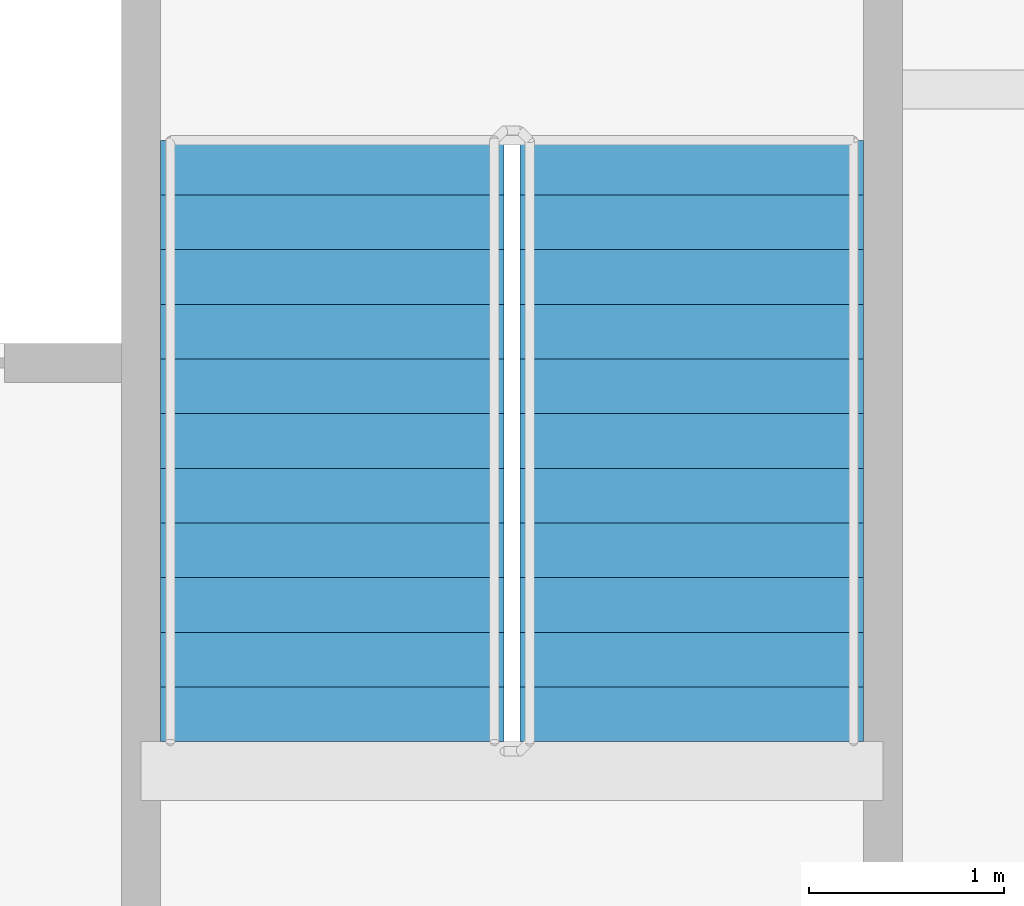
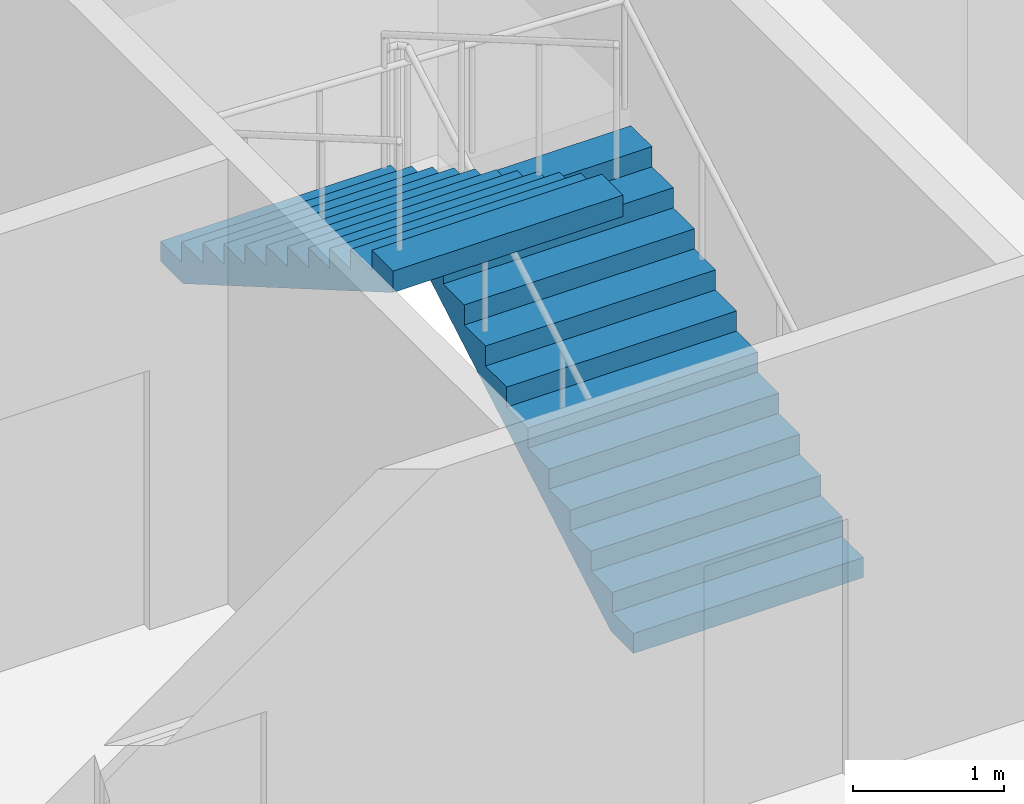
# One storey, part 9 of 11: 2 stair flights, 1 element without a shape of its own.
"""IFC4 building model written with IfcOpenShell, lengths in metres."""

from ifc_helpers import new_model, si_unit, direction, frame, origin, place, context, subcontext, project, spatial, faceted_brep, material, type_object, element, aggregate, save


model = new_model("IFC4")

# Units and contexts
model_context = context("Model", 3, precision=1e-05, world=origin(), true_north=direction((0.0, 1.0)))
body_context = subcontext(model_context, "Body", "Model", "MODEL_VIEW")
ifc_project = project(units=[si_unit("LENGTHUNIT", "METRE"), si_unit("AREAUNIT", "SQUARE_METRE"), si_unit("VOLUMEUNIT", "CUBIC_METRE"), si_unit("PLANEANGLEUNIT", "RADIAN"), si_unit("MASSUNIT", "GRAM", prefix="KILO")], contexts=[model_context])

# Site, building, storey
site_placement = place(None, origin())
site = spatial("IfcSite", under=ifc_project, at=site_placement, CompositionType="ELEMENT")
building_placement = place(site_placement, origin())
building = spatial("IfcBuilding", under=site, at=building_placement, Name="Tarsis Ring Headquarters", CompositionType="ELEMENT")
storey_placement = place(building_placement, frame((0.0, 0.0, 243.300048828125)))
storey = spatial("IfcBuildingStorey", under=building, at=storey_placement, Name="L57", CompositionType="ELEMENT", Elevation=243.300048828125)

# Stair, stair flights
ifc_material_1 = material(Name="Core stair 1760")
stair_type = type_object("IfcStairType", Name="Core stair 1760", PredefinedType="HALF_TURN_STAIR", material=ifc_material_1)
stair_placement = place(storey_placement, origin())
stair = element("IfcStair", 1, at=stair_placement, inside=storey, type_object=stair_type, Name="L57 Exit stair B", PredefinedType="HALF_TURN_STAIR")
ifc_material_2 = material(Name="Concrete C40/50", Category="concrete")
stair_flight_type = type_object("IfcStairFlightType", Name="Core stair flight 1760", PredefinedType="STRAIGHT", material=ifc_material_2)
stair_flight_1_placement = place(storey_placement, frame((5.419921875, 3.659912109375, 0.0), z_axis=(0.0, 0.0, 1.0), x_axis=(0.0, 1.0, 0.0)))
stair_flight_1 = element("IfcStairFlight", 2, at=stair_flight_1_placement, type_object=stair_flight_type, Name="Stair ST2 flight 1", NumberOfRisers=12, NumberOfTreads=11, PredefinedType="STRAIGHT", RiserHeight=0.1625, TreadLength=0.28, context=body_context, shape_type="Brep", body=[
    faceted_brep([(0.0, 0.8798828125, 0.0), (0.0, 0.8798828125, 0.16259765625), (0.280029296875, 0.8798828125, 0.16259765625), (0.280029296875, 0.8798828125, 0.324951171875), (0.56005859375, 0.8798828125, 0.324951171875), (0.56005859375, 0.8798828125, 0.487548828125), (0.840087890625, 0.8798828125, 0.487548828125), (0.840087890625, 0.8798828125, 0.64990234375), (1.1201171875, 0.8798828125, 0.64990234375), (1.1201171875, 0.8798828125, 0.8125), (1.39990234375, 0.8798828125, 0.8125), (1.39990234375, 0.8798828125, 0.97509765625), (1.679931640625, 0.8798828125, 0.97509765625), (1.679931640625, 0.8798828125, 1.137451171875), (1.9599609375, 0.8798828125, 1.137451171875), (1.9599609375, 0.8798828125, 1.300048828125), (2.239990234375, 0.8798828125, 1.300048828125), (2.239990234375, 0.8798828125, 1.46240234375), (2.52001953125, 0.8798828125, 1.46240234375), (2.52001953125, 0.8798828125, 1.625), (2.800048828125, 0.8798828125, 1.625), (2.800048828125, 0.8798828125, 1.78759765625), (3.080078125, 0.8798828125, 1.78759765625), (3.080078125, 0.8798828125, 1.6142578125), (0.298583984375, 0.8798828125, 0.0), (0.298583984375, -0.8798828125, 0.0), (3.080078125, -0.8798828125, 1.6142578125), (3.080078125, -0.8798828125, 1.78759765625), (2.800048828125, -0.8798828125, 1.78759765625), (2.800048828125, -0.8798828125, 1.625), (2.52001953125, -0.8798828125, 1.625), (2.52001953125, -0.8798828125, 1.46240234375), (2.239990234375, -0.8798828125, 1.46240234375), (2.239990234375, -0.8798828125, 1.300048828125), (1.9599609375, -0.8798828125, 1.300048828125), (1.9599609375, -0.8798828125, 1.137451171875), (1.679931640625, -0.8798828125, 1.137451171875), (1.679931640625, -0.8798828125, 0.97509765625), (1.39990234375, -0.8798828125, 0.97509765625), (1.39990234375, -0.8798828125, 0.8125), (1.1201171875, -0.8798828125, 0.8125), (1.1201171875, -0.8798828125, 0.64990234375), (0.840087890625, -0.8798828125, 0.64990234375), (0.840087890625, -0.8798828125, 0.487548828125), (0.56005859375, -0.8798828125, 0.487548828125), (0.56005859375, -0.8798828125, 0.324951171875), (0.280029296875, -0.8798828125, 0.324951171875), (0.280029296875, -0.8798828125, 0.16259765625), (0.0, -0.8798828125, 0.16259765625), (0.0, -0.8798828125, 0.0), (0.0, -0.43994140625, 0.16259765625), (0.0, -0.43994140625, 0.0), (0.0, 0.0, 0.16259765625), (0.0, 0.0, 0.0), (0.0, 0.43994140625, 0.16259765625), (0.0, 0.43994140625, 0.0), (0.280029296875, -0.43994140625, 0.16259765625), (0.280029296875, 0.0, 0.16259765625), (0.280029296875, 0.43994140625, 0.16259765625), (0.280029296875, -0.43994140625, 0.324951171875), (0.280029296875, 0.0, 0.324951171875), (0.280029296875, 0.43994140625, 0.324951171875), (0.56005859375, -0.43994140625, 0.324951171875), (0.56005859375, 0.0, 0.324951171875), (0.56005859375, 0.43994140625, 0.324951171875), (0.56005859375, -0.43994140625, 0.487548828125), (0.56005859375, 0.0, 0.487548828125), (0.56005859375, 0.43994140625, 0.487548828125), (0.840087890625, -0.43994140625, 0.487548828125), (0.840087890625, 0.0, 0.487548828125), (0.840087890625, 0.43994140625, 0.487548828125), (0.840087890625, -0.43994140625, 0.64990234375), (0.840087890625, 0.0, 0.64990234375), (0.840087890625, 0.43994140625, 0.64990234375), (1.1201171875, -0.43994140625, 0.64990234375), (1.1201171875, 0.0, 0.64990234375), (1.1201171875, 0.43994140625, 0.64990234375), (1.1201171875, -0.43994140625, 0.8125), (1.1201171875, 0.0, 0.8125), (1.1201171875, 0.43994140625, 0.8125), (1.39990234375, -0.43994140625, 0.8125), (1.39990234375, 0.0, 0.8125), (1.39990234375, 0.43994140625, 0.8125), (1.39990234375, -0.43994140625, 0.97509765625), (1.39990234375, 0.0, 0.97509765625), (1.39990234375, 0.43994140625, 0.97509765625), (1.679931640625, -0.43994140625, 0.97509765625), (1.679931640625, 0.0, 0.97509765625), (1.679931640625, 0.43994140625, 0.97509765625), (1.679931640625, -0.43994140625, 1.137451171875), (1.679931640625, 0.0, 1.137451171875), (1.679931640625, 0.43994140625, 1.137451171875), (1.9599609375, -0.43994140625, 1.137451171875), (1.9599609375, 0.0, 1.137451171875), (1.9599609375, 0.43994140625, 1.137451171875), (1.9599609375, -0.43994140625, 1.300048828125), (1.9599609375, 0.0, 1.300048828125), (1.9599609375, 0.43994140625, 1.300048828125), (2.239990234375, -0.43994140625, 1.300048828125), (2.239990234375, 0.0, 1.300048828125), (2.239990234375, 0.43994140625, 1.300048828125), (2.239990234375, -0.43994140625, 1.46240234375), (2.239990234375, 0.0, 1.46240234375), (2.239990234375, 0.43994140625, 1.46240234375), (2.52001953125, -0.43994140625, 1.46240234375), (2.52001953125, 0.0, 1.46240234375), (2.52001953125, 0.43994140625, 1.46240234375), (2.52001953125, -0.43994140625, 1.625), (2.52001953125, 0.0, 1.625), (2.52001953125, 0.43994140625, 1.625), (2.800048828125, -0.43994140625, 1.625), (2.800048828125, 0.0, 1.625), (2.800048828125, 0.43994140625, 1.625), (2.800048828125, -0.43994140625, 1.78759765625), (2.800048828125, 0.0, 1.78759765625), (2.800048828125, 0.43994140625, 1.78759765625), (3.080078125, -0.43994140625, 1.78759765625), (3.080078125, 0.0, 1.78759765625), (3.080078125, 0.43994140625, 1.78759765625), (3.080078125, -0.43994140625, 1.6142578125), (3.080078125, 0.0, 1.6142578125), (3.080078125, 0.43994140625, 1.6142578125), (0.298583984375, -0.43994140625, 0.0), (0.298583984375, 0.0, 0.0), (0.298583984375, 0.43994140625, 0.0)], [[[0, 1, 2, 3, 4, 5, 6, 7, 8, 9, 10, 11, 12, 13, 14, 15, 16, 17, 18, 19, 20, 21, 22, 23, 24]], [[25, 26, 27, 28, 29, 30, 31, 32, 33, 34, 35, 36, 37, 38, 39, 40, 41, 42, 43, 44, 45, 46, 47, 48, 49]], [[49, 48, 50, 51]], [[51, 50, 52, 53]], [[53, 52, 54, 55]], [[55, 54, 1, 0]], [[48, 47, 56, 50]], [[50, 56, 57, 52]], [[52, 57, 58, 54]], [[54, 58, 2, 1]], [[47, 46, 59, 56]], [[56, 59, 60, 57]], [[57, 60, 61, 58]], [[58, 61, 3, 2]], [[46, 45, 62, 59]], [[59, 62, 63, 60]], [[60, 63, 64, 61]], [[61, 64, 4, 3]], [[45, 44, 65, 62]], [[62, 65, 66, 63]], [[63, 66, 67, 64]], [[64, 67, 5, 4]], [[44, 43, 68, 65]], [[65, 68, 69, 66]], [[66, 69, 70, 67]], [[67, 70, 6, 5]], [[43, 42, 71, 68]], [[68, 71, 72, 69]], [[69, 72, 73, 70]], [[70, 73, 7, 6]], [[42, 41, 74, 71]], [[71, 74, 75, 72]], [[72, 75, 76, 73]], [[73, 76, 8, 7]], [[41, 40, 77, 74]], [[74, 77, 78, 75]], [[75, 78, 79, 76]], [[76, 79, 9, 8]], [[40, 39, 80, 77]], [[77, 80, 81, 78]], [[78, 81, 82, 79]], [[79, 82, 10, 9]], [[39, 38, 83, 80]], [[80, 83, 84, 81]], [[81, 84, 85, 82]], [[82, 85, 11, 10]], [[38, 37, 86, 83]], [[83, 86, 87, 84]], [[84, 87, 88, 85]], [[85, 88, 12, 11]], [[37, 36, 89, 86]], [[86, 89, 90, 87]], [[87, 90, 91, 88]], [[88, 91, 13, 12]], [[36, 35, 92, 89]], [[89, 92, 93, 90]], [[90, 93, 94, 91]], [[91, 94, 14, 13]], [[35, 34, 95, 92]], [[92, 95, 96, 93]], [[93, 96, 97, 94]], [[94, 97, 15, 14]], [[34, 33, 98, 95]], [[95, 98, 99, 96]], [[96, 99, 100, 97]], [[97, 100, 16, 15]], [[33, 32, 101, 98]], [[98, 101, 102, 99]], [[99, 102, 103, 100]], [[100, 103, 17, 16]], [[32, 31, 104, 101]], [[101, 104, 105, 102]], [[102, 105, 106, 103]], [[103, 106, 18, 17]], [[31, 30, 107, 104]], [[104, 107, 108, 105]], [[105, 108, 109, 106]], [[106, 109, 19, 18]], [[30, 29, 110, 107]], [[107, 110, 111, 108]], [[108, 111, 112, 109]], [[109, 112, 20, 19]], [[29, 28, 113, 110]], [[110, 113, 114, 111]], [[111, 114, 115, 112]], [[112, 115, 21, 20]], [[28, 27, 116, 113]], [[113, 116, 117, 114]], [[114, 117, 118, 115]], [[115, 118, 22, 21]], [[27, 26, 119, 116]], [[116, 119, 120, 117]], [[117, 120, 121, 118]], [[118, 121, 23, 22]], [[26, 25, 122, 119]], [[119, 122, 123, 120]], [[120, 123, 124, 121]], [[121, 124, 24, 23]], [[25, 49, 51, 122]], [[122, 51, 53, 123]], [[123, 53, 55, 124]], [[124, 55, 0, 24]]]),
])
stair_flight_2_placement = place(storey_placement, frame((3.580078125, 6.739990234375, 1.949951171875), z_axis=(0.0, 0.0, 1.0), x_axis=(0.0, -1.0, 0.0)))
stair_flight_2 = element("IfcStairFlight", 3, at=stair_flight_2_placement, type_object=stair_flight_type, Name="Stair ST2 flight 2", NumberOfRisers=12, NumberOfTreads=11, PredefinedType="STRAIGHT", RiserHeight=0.1625, TreadLength=0.28, context=body_context, shape_type="Brep", body=[
    faceted_brep([(0.0, 0.8798828125, 0.0), (0.0, 0.8798828125, 0.16259765625), (0.280029296875, 0.8798828125, 0.16259765625), (0.280029296875, 0.8798828125, 0.324951171875), (0.56005859375, 0.8798828125, 0.324951171875), (0.56005859375, 0.8798828125, 0.487548828125), (0.840087890625, 0.8798828125, 0.487548828125), (0.840087890625, 0.8798828125, 0.64990234375), (1.1201171875, 0.8798828125, 0.64990234375), (1.1201171875, 0.8798828125, 0.8125), (1.39990234375, 0.8798828125, 0.8125), (1.39990234375, 0.8798828125, 0.97509765625), (1.679931640625, 0.8798828125, 0.97509765625), (1.679931640625, 0.8798828125, 1.137451171875), (1.9599609375, 0.8798828125, 1.137451171875), (1.9599609375, 0.8798828125, 1.300048828125), (2.239990234375, 0.8798828125, 1.300048828125), (2.239990234375, 0.8798828125, 1.46240234375), (2.52001953125, 0.8798828125, 1.46240234375), (2.52001953125, 0.8798828125, 1.625), (2.800048828125, 0.8798828125, 1.625), (2.800048828125, 0.8798828125, 1.78759765625), (3.080078125, 0.8798828125, 1.78759765625), (3.080078125, 0.8798828125, 1.6142578125), (0.298583984375, 0.8798828125, 0.0), (0.298583984375, -0.8798828125, 0.0), (3.080078125, -0.8798828125, 1.6142578125), (3.080078125, -0.8798828125, 1.78759765625), (2.800048828125, -0.8798828125, 1.78759765625), (2.800048828125, -0.8798828125, 1.625), (2.52001953125, -0.8798828125, 1.625), (2.52001953125, -0.8798828125, 1.46240234375), (2.239990234375, -0.8798828125, 1.46240234375), (2.239990234375, -0.8798828125, 1.300048828125), (1.9599609375, -0.8798828125, 1.300048828125), (1.9599609375, -0.8798828125, 1.137451171875), (1.679931640625, -0.8798828125, 1.137451171875), (1.679931640625, -0.8798828125, 0.97509765625), (1.39990234375, -0.8798828125, 0.97509765625), (1.39990234375, -0.8798828125, 0.8125), (1.1201171875, -0.8798828125, 0.8125), (1.1201171875, -0.8798828125, 0.64990234375), (0.840087890625, -0.8798828125, 0.64990234375), (0.840087890625, -0.8798828125, 0.487548828125), (0.56005859375, -0.8798828125, 0.487548828125), (0.56005859375, -0.8798828125, 0.324951171875), (0.280029296875, -0.8798828125, 0.324951171875), (0.280029296875, -0.8798828125, 0.16259765625), (0.0, -0.8798828125, 0.16259765625), (0.0, -0.8798828125, 0.0), (0.0, -0.43994140625, 0.16259765625), (0.0, -0.43994140625, 0.0), (0.0, 0.0, 0.16259765625), (0.0, 0.0, 0.0), (0.0, 0.43994140625, 0.16259765625), (0.0, 0.43994140625, 0.0), (0.280029296875, -0.43994140625, 0.16259765625), (0.280029296875, 0.0, 0.16259765625), (0.280029296875, 0.43994140625, 0.16259765625), (0.280029296875, -0.43994140625, 0.324951171875), (0.280029296875, 0.0, 0.324951171875), (0.280029296875, 0.43994140625, 0.324951171875), (0.56005859375, -0.43994140625, 0.324951171875), (0.56005859375, 0.0, 0.324951171875), (0.56005859375, 0.43994140625, 0.324951171875), (0.56005859375, -0.43994140625, 0.487548828125), (0.56005859375, 0.0, 0.487548828125), (0.56005859375, 0.43994140625, 0.487548828125), (0.840087890625, -0.43994140625, 0.487548828125), (0.840087890625, 0.0, 0.487548828125), (0.840087890625, 0.43994140625, 0.487548828125), (0.840087890625, -0.43994140625, 0.64990234375), (0.840087890625, 0.0, 0.64990234375), (0.840087890625, 0.43994140625, 0.64990234375), (1.1201171875, -0.43994140625, 0.64990234375), (1.1201171875, 0.0, 0.64990234375), (1.1201171875, 0.43994140625, 0.64990234375), (1.1201171875, -0.43994140625, 0.8125), (1.1201171875, 0.0, 0.8125), (1.1201171875, 0.43994140625, 0.8125), (1.39990234375, -0.43994140625, 0.8125), (1.39990234375, 0.0, 0.8125), (1.39990234375, 0.43994140625, 0.8125), (1.39990234375, -0.43994140625, 0.97509765625), (1.39990234375, 0.0, 0.97509765625), (1.39990234375, 0.43994140625, 0.97509765625), (1.679931640625, -0.43994140625, 0.97509765625), (1.679931640625, 0.0, 0.97509765625), (1.679931640625, 0.43994140625, 0.97509765625), (1.679931640625, -0.43994140625, 1.137451171875), (1.679931640625, 0.0, 1.137451171875), (1.679931640625, 0.43994140625, 1.137451171875), (1.9599609375, -0.43994140625, 1.137451171875), (1.9599609375, 0.0, 1.137451171875), (1.9599609375, 0.43994140625, 1.137451171875), (1.9599609375, -0.43994140625, 1.300048828125), (1.9599609375, 0.0, 1.300048828125), (1.9599609375, 0.43994140625, 1.300048828125), (2.239990234375, -0.43994140625, 1.300048828125), (2.239990234375, 0.0, 1.300048828125), (2.239990234375, 0.43994140625, 1.300048828125), (2.239990234375, -0.43994140625, 1.46240234375), (2.239990234375, 0.0, 1.46240234375), (2.239990234375, 0.43994140625, 1.46240234375), (2.52001953125, -0.43994140625, 1.46240234375), (2.52001953125, 0.0, 1.46240234375), (2.52001953125, 0.43994140625, 1.46240234375), (2.52001953125, -0.43994140625, 1.625), (2.52001953125, 0.0, 1.625), (2.52001953125, 0.43994140625, 1.625), (2.800048828125, -0.43994140625, 1.625), (2.800048828125, 0.0, 1.625), (2.800048828125, 0.43994140625, 1.625), (2.800048828125, -0.43994140625, 1.78759765625), (2.800048828125, 0.0, 1.78759765625), (2.800048828125, 0.43994140625, 1.78759765625), (3.080078125, -0.43994140625, 1.78759765625), (3.080078125, 0.0, 1.78759765625), (3.080078125, 0.43994140625, 1.78759765625), (3.080078125, -0.43994140625, 1.6142578125), (3.080078125, 0.0, 1.6142578125), (3.080078125, 0.43994140625, 1.6142578125), (0.298583984375, -0.43994140625, 0.0), (0.298583984375, 0.0, 0.0), (0.298583984375, 0.43994140625, 0.0)], [[[0, 1, 2, 3, 4, 5, 6, 7, 8, 9, 10, 11, 12, 13, 14, 15, 16, 17, 18, 19, 20, 21, 22, 23, 24]], [[25, 26, 27, 28, 29, 30, 31, 32, 33, 34, 35, 36, 37, 38, 39, 40, 41, 42, 43, 44, 45, 46, 47, 48, 49]], [[49, 48, 50, 51]], [[51, 50, 52, 53]], [[53, 52, 54, 55]], [[55, 54, 1, 0]], [[48, 47, 56, 50]], [[50, 56, 57, 52]], [[52, 57, 58, 54]], [[54, 58, 2, 1]], [[47, 46, 59, 56]], [[56, 59, 60, 57]], [[57, 60, 61, 58]], [[58, 61, 3, 2]], [[46, 45, 62, 59]], [[59, 62, 63, 60]], [[60, 63, 64, 61]], [[61, 64, 4, 3]], [[45, 44, 65, 62]], [[62, 65, 66, 63]], [[63, 66, 67, 64]], [[64, 67, 5, 4]], [[44, 43, 68, 65]], [[65, 68, 69, 66]], [[66, 69, 70, 67]], [[67, 70, 6, 5]], [[43, 42, 71, 68]], [[68, 71, 72, 69]], [[69, 72, 73, 70]], [[70, 73, 7, 6]], [[42, 41, 74, 71]], [[71, 74, 75, 72]], [[72, 75, 76, 73]], [[73, 76, 8, 7]], [[41, 40, 77, 74]], [[74, 77, 78, 75]], [[75, 78, 79, 76]], [[76, 79, 9, 8]], [[40, 39, 80, 77]], [[77, 80, 81, 78]], [[78, 81, 82, 79]], [[79, 82, 10, 9]], [[39, 38, 83, 80]], [[80, 83, 84, 81]], [[81, 84, 85, 82]], [[82, 85, 11, 10]], [[38, 37, 86, 83]], [[83, 86, 87, 84]], [[84, 87, 88, 85]], [[85, 88, 12, 11]], [[37, 36, 89, 86]], [[86, 89, 90, 87]], [[87, 90, 91, 88]], [[88, 91, 13, 12]], [[36, 35, 92, 89]], [[89, 92, 93, 90]], [[90, 93, 94, 91]], [[91, 94, 14, 13]], [[35, 34, 95, 92]], [[92, 95, 96, 93]], [[93, 96, 97, 94]], [[94, 97, 15, 14]], [[34, 33, 98, 95]], [[95, 98, 99, 96]], [[96, 99, 100, 97]], [[97, 100, 16, 15]], [[33, 32, 101, 98]], [[98, 101, 102, 99]], [[99, 102, 103, 100]], [[100, 103, 17, 16]], [[32, 31, 104, 101]], [[101, 104, 105, 102]], [[102, 105, 106, 103]], [[103, 106, 18, 17]], [[31, 30, 107, 104]], [[104, 107, 108, 105]], [[105, 108, 109, 106]], [[106, 109, 19, 18]], [[30, 29, 110, 107]], [[107, 110, 111, 108]], [[108, 111, 112, 109]], [[109, 112, 20, 19]], [[29, 28, 113, 110]], [[110, 113, 114, 111]], [[111, 114, 115, 112]], [[112, 115, 21, 20]], [[28, 27, 116, 113]], [[113, 116, 117, 114]], [[114, 117, 118, 115]], [[115, 118, 22, 21]], [[27, 26, 119, 116]], [[116, 119, 120, 117]], [[117, 120, 121, 118]], [[118, 121, 23, 22]], [[26, 25, 122, 119]], [[119, 122, 123, 120]], [[120, 123, 124, 121]], [[121, 124, 24, 23]], [[25, 49, 51, 122]], [[122, 51, 53, 123]], [[123, 53, 55, 124]], [[124, 55, 0, 24]]]),
])
aggregate(stair, [stair_flight_1, stair_flight_2])

save(model, "model.ifc")
